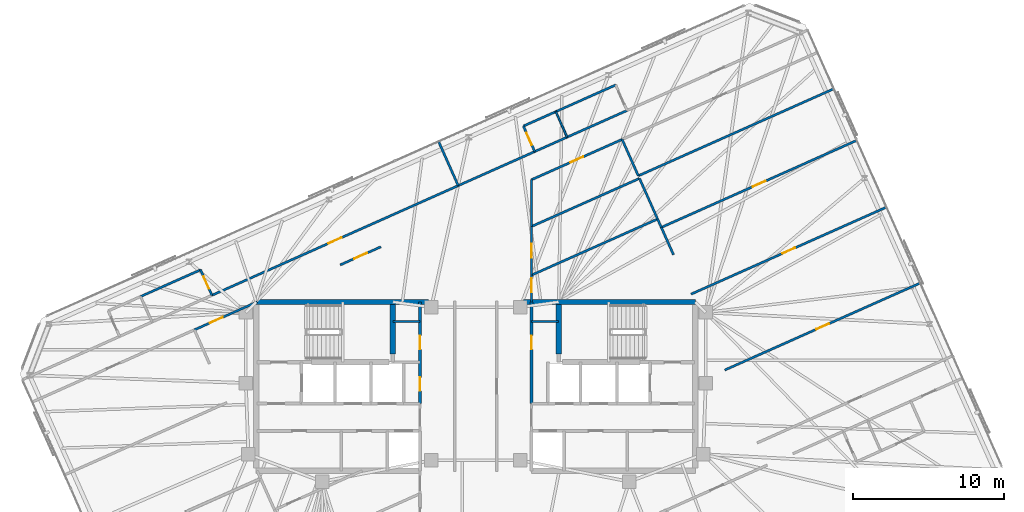
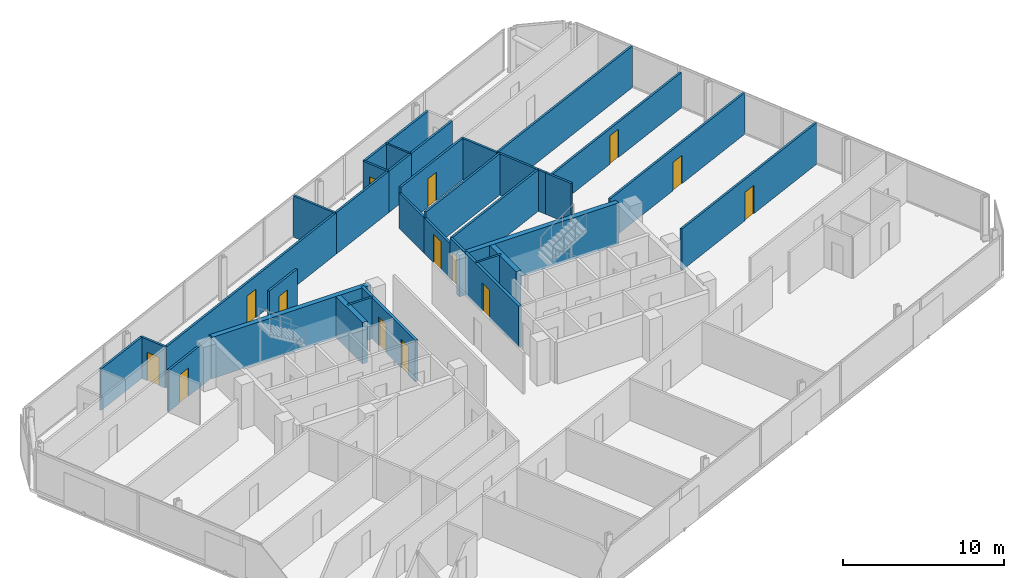
# One storey, part 16 of 19: 35 walls, 14 doors, 14 openings.
"""IFC4 building model written with IfcOpenShell, lengths in metres."""

from ifc_helpers import new_model, si_unit, direction, frame, frame_2d, origin, place, context, subcontext, project, spatial, rectangle, extrude, material, layer, layer_set, type_object, element, fill, save


model = new_model("IFC4")

# Units and contexts
model_context = context("Model", 3, precision=1e-05, world=origin(), true_north=direction((0.0, 1.0)))
body_context = subcontext(model_context, "Body", "Model", "MODEL_VIEW")
ifc_project = project(units=[si_unit("LENGTHUNIT", "METRE"), si_unit("AREAUNIT", "SQUARE_METRE"), si_unit("VOLUMEUNIT", "CUBIC_METRE"), si_unit("PLANEANGLEUNIT", "RADIAN"), si_unit("MASSUNIT", "GRAM", prefix="KILO")], contexts=[model_context])

# Site, building, storey
site_placement = place(None, origin())
site = spatial("IfcSite", under=ifc_project, at=site_placement, CompositionType="ELEMENT")
building_placement = place(site_placement, origin())
building = spatial("IfcBuilding", under=site, at=building_placement, Name="Menara Jurai Vektor", CompositionType="ELEMENT")
storey_placement = place(building_placement, frame((0.0, 0.0, 262.199951171875)))
storey = spatial("IfcBuildingStorey", under=building, at=storey_placement, Name="L70", CompositionType="ELEMENT", Elevation=262.199951171875)

# Walls
ifc_material_1 = material(Name="Gypsum Fireboard Partition", Category="gypsum")
ifc_layer_1 = layer(ifc_material_1, 0.14990234375)
ifc_layer_set_1 = layer_set([ifc_layer_1], Name="Gypsum Fireboard Partition")
wall_type_1 = type_object("IfcWallType", Name="INT-WALL-CORR-150", PredefinedType="PARTITIONING", material=ifc_layer_set_1)
for number, where, z_axis, x_axis, name in (
    (1, (-5.5, 4.300048828125, 0.0), (0.0, 0.0, 1.0), (1.0, 0.0, 0.0), "Interior Wall IW-150 L70"),
    (2, (3.699951171875, 4.300048828125, 0.0), (0.0, 0.0, 1.0), (1.0, 0.0, 0.0), "Interior Wall IW-150 L70"),
):
    element("IfcWall", number, at=place(storey_placement, frame(where, z_axis=z_axis, x_axis=x_axis)), inside=storey, type_object=wall_type_1, Name=name, PredefinedType="PARTITIONING", context=body_context, shape_type="SweptSolid", body=[
        extrude(rectangle(XDim=1.800048828125, YDim=0.14990234375, at=frame_2d((0.89990234375, 0.0))), origin(), (0.0, 0.0, 1.0), 3.125),
    ])

# Wall, opening, door
wall_1_placement = place(storey_placement, frame((-17.499267578125, 6.03759765625, 0.0), z_axis=(0.0, 0.0, 1.0), x_axis=(0.913541623157, 0.406745255362, 0.0)))
wall_1 = element("IfcWall", 3, at=wall_1_placement, inside=storey, type_object=wall_type_1, Name="Interior Wall IW-150 L70", PredefinedType="PARTITIONING", context=body_context, shape_type="SweptSolid", body=[
    extrude(rectangle(XDim=17.879150390625, YDim=0.14990234375, at=frame_2d((8.939453125, 0.0))), origin(), (0.0, 0.0, 1.0), 3.125),
])
opening_1_placement = place(wall_1_placement, frame((8.464599609375, 0.0, 0.0)))
opening_1 = element("IfcOpeningElement", 4, at=opening_1_placement, cuts=wall_1, Name="Opening D70-09", PredefinedType="OPENING", context=body_context, shape_type="SweptSolid", body=[
    extrude(rectangle(XDim=0.949951171875, YDim=2.14990234375, at=frame_2d((0.47509765625, 1.074951171875))), frame((0.0, 0.0849609375, 0.0), z_axis=(0.0, -1.0, 0.0), x_axis=(1.0, 0.0, 0.0)), (0.0, 0.0, 1.0), 0.169921875),
])
ifc_material_2 = material(Name="Solid Core Timber Fire Door", Category="wood")
door_type_1 = type_object("IfcDoorType", Name="DR-ENTRY-950", OperationType="NOTDEFINED", PredefinedType="DOOR", material=ifc_material_2)
door_1_placement = place(opening_1_placement, origin())
door_1 = element("IfcDoor", 5, at=door_1_placement, inside=storey, type_object=door_type_1, Name="Interior Door D70-09", OperationType="SINGLE_SWING_RIGHT", OverallHeight=2.14990234375, OverallWidth=0.949951171875, PredefinedType="DOOR", context=body_context, shape_type="SweptSolid", body=[
    extrude(rectangle(XDim=0.949951171875, YDim=2.14990234375, at=frame_2d((0.47509765625, 1.074951171875))), frame((0.0, 0.02490234375, 0.0), z_axis=(0.0, -1.0, 0.0), x_axis=(1.0, 0.0, 0.0)), (0.0, 0.0, 1.0), 0.050048828125),
])
fill(opening_1, door_1)

# Walls
wall_2_placement = place(storey_placement, frame((-1.166015625, 13.309814453125, 0.0), z_axis=(0.0, 0.0, 1.0), x_axis=(0.913554005831, 0.406717442988, 0.0)))
element("IfcWall", 6, at=wall_2_placement, inside=storey, type_object=wall_type_1, Name="Interior Wall IW-150 L70", PredefinedType="PARTITIONING", context=body_context, shape_type="SweptSolid", body=[
    extrude(rectangle(XDim=5.554931640625, YDim=0.14990234375, at=frame_2d((2.77734375, 0.0))), origin(), (0.0, 0.0, 1.0), 3.125),
])
wall_3_placement = place(storey_placement, frame((3.90869140625, 15.569091796875, 0.0), z_axis=(0.0, 0.0, 1.0), x_axis=(0.913541436194, 0.406745675276, 0.0)))
element("IfcWall", 7, at=wall_3_placement, inside=storey, type_object=wall_type_1, Name="Interior Wall IW-150 L70", PredefinedType="PARTITIONING", context=body_context, shape_type="SweptSolid", body=[
    extrude(rectangle(XDim=2.349853515625, YDim=0.14990234375, at=frame_2d((1.1748046875, 0.0))), origin(), (0.0, 0.0, 1.0), 3.125),
])
wall_4_placement = place(storey_placement, frame((6.055419921875, 16.52490234375, 0.0), z_axis=(0.0, 0.0, 1.0), x_axis=(0.913554477336, 0.406716383908, 0.0)))
element("IfcWall", 8, at=wall_4_placement, inside=storey, type_object=wall_type_1, Name="Interior Wall IW-150 L70", PredefinedType="PARTITIONING", context=body_context, shape_type="SweptSolid", body=[
    extrude(rectangle(XDim=4.35009765625, YDim=0.14990234375, at=frame_2d((2.175048828125, 0.0))), origin(), (0.0, 0.0, 1.0), 3.125),
])

# Wall, opening, door
wall_5_placement = place(storey_placement, frame((3.7001953125, 5.6005859375, 0.0), z_axis=(0.0, 0.0, 1.0), x_axis=(0.0, 1.0, 0.0)))
wall_5 = element("IfcWall", 9, at=wall_5_placement, inside=storey, type_object=wall_type_1, Name="Interior Wall IW-150 L70", PredefinedType="PARTITIONING", context=body_context, shape_type="SweptSolid", body=[
    extrude(rectangle(XDim=1.775390625, YDim=0.14990234375, at=frame_2d((0.8876953125, 0.0))), origin(), (0.0, 0.0, 1.0), 3.125),
])
opening_2_placement = place(wall_5_placement, frame((0.635498046875, 0.0, 0.0)))
opening_2 = element("IfcOpeningElement", 10, at=opening_2_placement, cuts=wall_5, Name="Opening D70-36", PredefinedType="OPENING", context=body_context, shape_type="SweptSolid", body=[
    extrude(rectangle(XDim=0.919921875, YDim=2.14990234375, at=frame_2d((0.4599609375, 1.074951171875))), frame((0.0, 0.0849609375, 0.0), z_axis=(0.0, -1.0, 0.0), x_axis=(1.0, 0.0, 0.0)), (0.0, 0.0, 1.0), 0.169921875),
])
door_2_placement = place(opening_2_placement, origin())
door_2 = element("IfcDoor", 11, at=door_2_placement, inside=storey, type_object=door_type_1, Name="Interior Door D70-36", OperationType="SINGLE_SWING_LEFT", OverallHeight=2.14990234375, OverallWidth=0.919921875, PredefinedType="DOOR", context=body_context, shape_type="SweptSolid", body=[
    extrude(rectangle(XDim=0.919921875, YDim=2.14990234375, at=frame_2d((0.4599609375, 1.074951171875))), frame((0.0, 0.02490234375, 0.0), z_axis=(0.0, -1.0, 0.0), x_axis=(1.0, 0.0, 0.0)), (0.0, 0.0, 1.0), 0.050048828125),
])
fill(opening_2, door_2)

wall_6_placement = place(storey_placement, frame((3.69970703125, 13.702880859375, 0.0), z_axis=(0.0, 0.0, 1.0), x_axis=(0.913549363376, 0.406727870542, 0.0)))
wall_6 = element("IfcWall", 12, at=wall_6_placement, inside=storey, type_object=wall_type_1, Name="Interior Wall IW-150 L70", PredefinedType="PARTITIONING", context=body_context, shape_type="SweptSolid", body=[
    extrude(rectangle(XDim=6.571044921875, YDim=0.14990234375, at=frame_2d((3.28564453125, 0.0))), origin(), (0.0, 0.0, 1.0), 3.125),
])
opening_3_placement = place(wall_6_placement, frame((2.825439453125, 0.0, 0.0)))
opening_3 = element("IfcOpeningElement", 13, at=opening_3_placement, cuts=wall_6, Name="Opening D70-38", PredefinedType="OPENING", context=body_context, shape_type="SweptSolid", body=[
    extrude(rectangle(XDim=0.919921875, YDim=2.14990234375, at=frame_2d((0.4599609375, 1.074951171875))), frame((0.0, 0.0849609375, 0.0), z_axis=(0.0, -1.0, 0.0), x_axis=(1.0, 0.0, 0.0)), (0.0, 0.0, 1.0), 0.169921875),
])
door_3_placement = place(opening_3_placement, origin())
door_3 = element("IfcDoor", 14, at=door_3_placement, inside=storey, type_object=door_type_1, Name="Interior Door D70-38", OperationType="SINGLE_SWING_LEFT", OverallHeight=2.14990234375, OverallWidth=0.919921875, PredefinedType="DOOR", context=body_context, shape_type="SweptSolid", body=[
    extrude(rectangle(XDim=0.919921875, YDim=2.14990234375, at=frame_2d((0.4599609375, 1.074951171875))), frame((0.0, 0.02490234375, 0.0), z_axis=(0.0, -1.0, 0.0), x_axis=(1.0, 0.0, 0.0)), (0.0, 0.0, 1.0), 0.050048828125),
])
fill(opening_3, door_3)

wall_7_placement = place(storey_placement, frame((-18.6611328125, 3.7470703125, 0.0), z_axis=(0.0, 0.0, 1.0), x_axis=(0.913535055583, 0.40676000568, 0.0)))
wall_7 = element("IfcWall", 15, at=wall_7_placement, inside=storey, type_object=wall_type_1, Name="Interior Wall IW-150 L70", PredefinedType="PARTITIONING", context=body_context, shape_type="SweptSolid", body=[
    extrude(rectangle(XDim=4.554931640625, YDim=0.14990234375, at=frame_2d((2.27734375, 0.0))), origin(), (0.0, 0.0, 1.0), 3.125),
])
opening_4_placement = place(wall_7_placement, frame((1.13427734375, 0.0, 0.0)))
opening_4 = element("IfcOpeningElement", 16, at=opening_4_placement, cuts=wall_7, Name="Opening D70-39", PredefinedType="OPENING", context=body_context, shape_type="SweptSolid", body=[
    extrude(rectangle(XDim=0.919921875, YDim=2.14990234375, at=frame_2d((0.4599609375, 1.074951171875))), frame((0.0, 0.0849609375, 0.0), z_axis=(0.0, -1.0, 0.0), x_axis=(1.0, 0.0, 0.0)), (0.0, 0.0, 1.0), 0.169921875),
])
door_4_placement = place(opening_4_placement, origin())
door_4 = element("IfcDoor", 17, at=door_4_placement, inside=storey, type_object=door_type_1, Name="Interior Door D70-39", OperationType="SINGLE_SWING_RIGHT", OverallHeight=2.14990234375, OverallWidth=0.919921875, PredefinedType="DOOR", context=body_context, shape_type="SweptSolid", body=[
    extrude(rectangle(XDim=0.919921875, YDim=2.14990234375, at=frame_2d((0.4599609375, 1.074951171875))), frame((0.0, 0.02490234375, 0.0), z_axis=(0.0, -1.0, 0.0), x_axis=(1.0, 0.0, 0.0)), (0.0, 0.0, 1.0), 0.050048828125),
])
fill(opening_4, door_4)

wall_8_placement = place(storey_placement, frame((-8.9921875, 8.052001953125, 0.0), z_axis=(0.0, 0.0, 1.0), x_axis=(0.913535467925, 0.406759079607, 0.0)))
wall_8 = element("IfcWall", 18, at=wall_8_placement, inside=storey, type_object=wall_type_1, Name="Interior Wall IW-150 L70", PredefinedType="PARTITIONING", context=body_context, shape_type="SweptSolid", body=[
    extrude(rectangle(XDim=2.9560546875, YDim=0.14990234375, at=frame_2d((1.47802734375, 0.0))), origin(), (0.0, 0.0, 1.0), 3.125),
])
opening_5_placement = place(wall_8_placement, frame((1.01806640625, 0.0, 0.0)))
opening_5 = element("IfcOpeningElement", 19, at=opening_5_placement, cuts=wall_8, Name="Opening D70-40", PredefinedType="OPENING", context=body_context, shape_type="SweptSolid", body=[
    extrude(rectangle(XDim=0.919921875, YDim=2.14990234375, at=frame_2d((0.4599609375, 1.074951171875))), frame((0.0, 0.0849609375, 0.0), z_axis=(0.0, -1.0, 0.0), x_axis=(1.0, 0.0, 0.0)), (0.0, 0.0, 1.0), 0.169921875),
])
door_5_placement = place(opening_5_placement, origin())
door_5 = element("IfcDoor", 20, at=door_5_placement, inside=storey, type_object=door_type_1, Name="Interior Door D70-40", OperationType="SINGLE_SWING_LEFT", OverallHeight=2.14990234375, OverallWidth=0.919921875, PredefinedType="DOOR", context=body_context, shape_type="SweptSolid", body=[
    extrude(rectangle(XDim=0.919921875, YDim=2.14990234375, at=frame_2d((0.4599609375, 1.074951171875))), frame((0.0, 0.02490234375, 0.0), z_axis=(0.0, -1.0, 0.0), x_axis=(1.0, 0.0, 0.0)), (0.0, 0.0, 1.0), 0.050048828125),
])
fill(opening_5, door_5)

# Wall
wall_9_placement = place(storey_placement, frame((-22.2255859375, 5.95849609375, 0.0), z_axis=(0.0, 0.0, 1.0), x_axis=(0.913545193015, 0.406737237438, 0.0)))
element("IfcWall", 21, at=wall_9_placement, inside=storey, type_object=wall_type_1, Name="Interior Wall IW-150 L70", PredefinedType="PARTITIONING", context=body_context, shape_type="SweptSolid", body=[
    extrude(rectangle(XDim=4.349853515625, YDim=0.14990234375, at=frame_2d((2.1748046875, 0.0))), origin(), (0.0, 0.0, 1.0), 3.125),
])

# Wall, opening, door
wall_10_placement = place(storey_placement, frame((-17.499267578125, 6.03759765625, 0.0), z_axis=(0.0, 0.0, 1.0), x_axis=(-0.406701600856, 0.913561058639, 0.0)))
wall_10 = element("IfcWall", 22, at=wall_10_placement, inside=storey, type_object=wall_type_1, Name="Interior Wall IW-150 L70", PredefinedType="PARTITIONING", context=body_context, shape_type="SweptSolid", body=[
    extrude(rectangle(XDim=1.85009765625, YDim=0.14990234375, at=frame_2d((0.925048828125, 0.0))), origin(), (0.0, 0.0, 1.0), 3.125),
])
opening_6_placement = place(wall_10_placement, frame((0.47509765625, 0.0, 0.0)))
opening_6 = element("IfcOpeningElement", 23, at=opening_6_placement, cuts=wall_10, Name="Opening D70-11", PredefinedType="OPENING", context=body_context, shape_type="SweptSolid", body=[
    extrude(rectangle(XDim=0.89990234375, YDim=2.14990234375, at=frame_2d((0.449951171875, 1.074951171875))), frame((0.0, 0.0849609375, 0.0), z_axis=(0.0, -1.0, 0.0), x_axis=(1.0, 0.0, 0.0)), (0.0, 0.0, 1.0), 0.169921875),
])
ifc_material_3 = material(Name="Acoustic Timber Interior Door", Category="wood")
door_type_2 = type_object("IfcDoorType", Name="DR-ROOM-900", OperationType="NOTDEFINED", PredefinedType="DOOR", material=ifc_material_3)
door_6_placement = place(opening_6_placement, origin())
door_6 = element("IfcDoor", 24, at=door_6_placement, inside=storey, type_object=door_type_2, Name="Interior Door D70-11", OperationType="SINGLE_SWING_RIGHT", OverallHeight=2.14990234375, OverallWidth=0.89990234375, PredefinedType="DOOR", context=body_context, shape_type="SweptSolid", body=[
    extrude(rectangle(XDim=0.89990234375, YDim=2.14990234375, at=frame_2d((0.449951171875, 1.074951171875))), frame((0.0, 0.02490234375, 0.0), z_axis=(0.0, -1.0, 0.0), x_axis=(1.0, 0.0, 0.0)), (0.0, 0.0, 1.0), 0.050048828125),
])
fill(opening_6, door_6)

# Wall
wall_11_placement = place(storey_placement, frame((-1.166015625, 13.309814453125, 0.0), z_axis=(0.0, 0.0, 1.0), x_axis=(-0.406761717745, 0.913534293268, 0.0)))
element("IfcWall", 25, at=wall_11_placement, inside=storey, type_object=wall_type_1, Name="Interior Wall IW-150 L70", PredefinedType="PARTITIONING", context=body_context, shape_type="SweptSolid", body=[
    extrude(rectangle(XDim=3.197998046875, YDim=0.14990234375, at=frame_2d((1.59912109375, 0.0))), origin(), (0.0, 0.0, 1.0), 3.125),
])

# Wall, opening, door
wall_12_placement = place(storey_placement, frame((3.90869140625, 15.569091796875, 0.0), z_axis=(0.0, 0.0, 1.0), x_axis=(-0.406701600856, 0.913561058639, 0.0)))
wall_12 = element("IfcWall", 26, at=wall_12_placement, inside=storey, type_object=wall_type_1, Name="Interior Wall IW-150 L70", PredefinedType="PARTITIONING", context=body_context, shape_type="SweptSolid", body=[
    extrude(rectangle(XDim=1.85009765625, YDim=0.14990234375, at=frame_2d((0.925048828125, 0.0))), origin(), (0.0, 0.0, 1.0), 3.125),
])
opening_7_placement = place(wall_12_placement, frame((0.485107421875, 0.0, 0.0)))
opening_7 = element("IfcOpeningElement", 27, at=opening_7_placement, cuts=wall_12, Name="Opening D70-13", PredefinedType="OPENING", context=body_context, shape_type="SweptSolid", body=[
    extrude(rectangle(XDim=0.8798828125, YDim=2.14990234375, at=frame_2d((0.43994140625, 1.074951171875))), frame((0.0, 0.0849609375, 0.0), z_axis=(0.0, -1.0, 0.0), x_axis=(1.0, 0.0, 0.0)), (0.0, 0.0, 1.0), 0.169921875),
])
ifc_material_4 = material(Name="Moisture-Resistant Timber Door", Category="wood")
door_type_3 = type_object("IfcDoorType", Name="DR-BATH-880", OperationType="NOTDEFINED", PredefinedType="DOOR", material=ifc_material_4)
door_7_placement = place(opening_7_placement, origin())
door_7 = element("IfcDoor", 28, at=door_7_placement, inside=storey, type_object=door_type_3, Name="Interior Door D70-13", OperationType="SINGLE_SWING_RIGHT", OverallHeight=2.14990234375, OverallWidth=0.8798828125, PredefinedType="DOOR", context=body_context, shape_type="SweptSolid", body=[
    extrude(rectangle(XDim=0.8798828125, YDim=2.14990234375, at=frame_2d((0.43994140625, 1.074951171875))), frame((0.0, 0.02490234375, 0.0), z_axis=(0.0, -1.0, 0.0), x_axis=(1.0, 0.0, 0.0)), (0.0, 0.0, 1.0), 0.050048828125),
])
fill(opening_7, door_7)

# Walls
wall_13_placement = place(storey_placement, frame((3.15625, 17.25927734375, 0.0), z_axis=(0.0, 0.0, 1.0), x_axis=(0.913541436194, 0.406745675276, 0.0)))
element("IfcWall", 29, at=wall_13_placement, inside=storey, type_object=wall_type_1, Name="Interior Wall IW-150 L70", PredefinedType="PARTITIONING", context=body_context, shape_type="SweptSolid", body=[
    extrude(rectangle(XDim=2.349853515625, YDim=0.14990234375, at=frame_2d((1.1748046875, 0.0))), origin(), (0.0, 0.0, 1.0), 3.125),
])
wall_14_placement = place(storey_placement, frame((5.302978515625, 18.215087890625, 0.0), z_axis=(0.0, 0.0, 1.0), x_axis=(0.913554477336, 0.406716383908, 0.0)))
element("IfcWall", 30, at=wall_14_placement, inside=storey, type_object=wall_type_1, Name="Interior Wall IW-150 L70", PredefinedType="PARTITIONING", context=body_context, shape_type="SweptSolid", body=[
    extrude(rectangle(XDim=4.35009765625, YDim=0.14990234375, at=frame_2d((2.175048828125, 0.0))), origin(), (0.0, 0.0, 1.0), 3.125),
])
wall_15_placement = place(storey_placement, frame((3.7001953125, 7.3759765625, 0.0), z_axis=(0.0, 0.0, 1.0), x_axis=(0.91354490899, 0.406737875367, 0.0)))
element("IfcWall", 31, at=wall_15_placement, inside=storey, type_object=wall_type_1, Name="Interior Wall IW-150 L70", PredefinedType="PARTITIONING", context=body_context, shape_type="SweptSolid", body=[
    extrude(rectangle(XDim=9.14404296875, YDim=0.14990234375, at=frame_2d((4.572021484375, 0.0))), origin(), (0.0, 0.0, 1.0), 3.125),
])
wall_16_placement = place(storey_placement, frame((13.108642578125, 8.7255859375, 0.0), z_axis=(0.0, 0.0, 1.0), x_axis=(-0.406788519224, 0.913522359128, 0.0)))
element("IfcWall", 32, at=wall_16_placement, inside=storey, type_object=wall_type_1, Name="Interior Wall IW-150 L70", PredefinedType="PARTITIONING", context=body_context, shape_type="SweptSolid", body=[
    extrude(rectangle(XDim=1.98583984375, YDim=0.14990234375, at=frame_2d((0.992919921875, 0.0))), origin(), (0.0, 0.0, 1.0), 3.125),
])
wall_17_placement = place(storey_placement, frame((12.30078125, 10.539794921875, 0.0), z_axis=(0.0, 0.0, 1.0), x_axis=(-0.406436552015, 0.913679007741, 0.0)))
element("IfcWall", 33, at=wall_17_placement, inside=storey, type_object=wall_type_1, Name="Interior Wall IW-150 L70", PredefinedType="PARTITIONING", context=body_context, shape_type="SweptSolid", body=[
    extrude(rectangle(XDim=0.60791015625, YDim=0.14990234375, at=frame_2d((0.303955078125, 0.0))), origin(), (0.0, 0.0, 1.0), 3.125),
])
wall_18_placement = place(storey_placement, frame((3.7001953125, 10.60400390625, 0.0), z_axis=(0.0, 0.0, 1.0), x_axis=(0.913534926439, 0.406760295722, 0.0)))
element("IfcWall", 34, at=wall_18_placement, inside=storey, type_object=wall_type_1, Name="Interior Wall IW-150 L70", PredefinedType="PARTITIONING", context=body_context, shape_type="SweptSolid", body=[
    extrude(rectangle(XDim=7.830810546875, YDim=0.14990234375, at=frame_2d((3.91552734375, 0.0))), origin(), (0.0, 0.0, 1.0), 3.125),
])
wall_19_placement = place(storey_placement, frame((12.0537109375, 11.09521484375, 0.0), z_axis=(0.0, 0.0, 1.0), x_axis=(-0.406798922371, 0.91351772657, 0.0)))
element("IfcWall", 35, at=wall_19_placement, inside=storey, type_object=wall_type_1, Name="Interior Wall IW-150 L70", PredefinedType="PARTITIONING", context=body_context, shape_type="SweptSolid", body=[
    extrude(rectangle(XDim=2.94921875, YDim=0.14990234375, at=frame_2d((1.474609375, 0.0))), origin(), (0.0, 0.0, 1.0), 3.125),
])
wall_20_placement = place(storey_placement, frame((10.777587890625, 13.9609375, 0.0), z_axis=(0.0, 0.0, 1.0), x_axis=(-0.406712614091, 0.913556155657, 0.0)))
element("IfcWall", 36, at=wall_20_placement, inside=storey, type_object=wall_type_1, Name="Interior Wall IW-150 L70", PredefinedType="PARTITIONING", context=body_context, shape_type="SweptSolid", body=[
    extrude(rectangle(XDim=2.64306640625, YDim=0.14990234375, at=frame_2d((1.321533203125, 0.0))), origin(), (0.0, 0.0, 1.0), 3.125),
])

# Wall, opening, door
wall_21_placement = place(storey_placement, frame((16.51171875, 1.081787109375, 0.0), z_axis=(0.0, 0.0, 1.0), x_axis=(0.913544622417, 0.406738519018, 0.0)))
wall_21 = element("IfcWall", 37, at=wall_21_placement, inside=storey, type_object=wall_type_1, Name="Interior Wall IW-150 L70", PredefinedType="PARTITIONING", context=body_context, shape_type="SweptSolid", body=[
    extrude(rectangle(XDim=14.192138671875, YDim=0.14990234375, at=frame_2d((7.09619140625, 0.0))), origin(), (0.0, 0.0, 1.0), 3.125),
])
opening_8_placement = place(wall_21_placement, frame((6.635986328125, 0.0, 0.0)))
opening_8 = element("IfcOpeningElement", 38, at=opening_8_placement, cuts=wall_21, Name="Opening D70-42", PredefinedType="OPENING", context=body_context, shape_type="SweptSolid", body=[
    extrude(rectangle(XDim=0.919921875, YDim=2.14990234375, at=frame_2d((0.4599609375, 1.074951171875))), frame((0.0, 0.0849609375, 0.0), z_axis=(0.0, -1.0, 0.0), x_axis=(1.0, 0.0, 0.0)), (0.0, 0.0, 1.0), 0.169921875),
])
door_8_placement = place(opening_8_placement, origin())
door_8 = element("IfcDoor", 39, at=door_8_placement, inside=storey, type_object=door_type_1, Name="Interior Door D70-42", OperationType="SINGLE_SWING_LEFT", OverallHeight=2.14990234375, OverallWidth=0.919921875, PredefinedType="DOOR", context=body_context, shape_type="SweptSolid", body=[
    extrude(rectangle(XDim=0.919921875, YDim=2.14990234375, at=frame_2d((0.4599609375, 1.074951171875))), frame((0.0, 0.02490234375, 0.0), z_axis=(0.0, -1.0, 0.0), x_axis=(1.0, 0.0, 0.0)), (0.0, 0.0, 1.0), 0.050048828125),
])
fill(opening_8, door_8)

wall_22_placement = place(storey_placement, frame((14.27197265625, 6.11279296875, 0.0), z_axis=(0.0, 0.0, 1.0), x_axis=(0.913551014388, 0.406724162191, 0.0)))
wall_22 = element("IfcWall", 40, at=wall_22_placement, inside=storey, type_object=wall_type_1, Name="Interior Wall IW-150 L70", PredefinedType="PARTITIONING", context=body_context, shape_type="SweptSolid", body=[
    extrude(rectangle(XDim=14.19189453125, YDim=0.14990234375, at=frame_2d((7.095947265625, 0.0))), origin(), (0.0, 0.0, 1.0), 3.125),
])
opening_9_placement = place(wall_22_placement, frame((6.635986328125, 0.0, 0.0)))
opening_9 = element("IfcOpeningElement", 41, at=opening_9_placement, cuts=wall_22, Name="Opening D70-43", PredefinedType="OPENING", context=body_context, shape_type="SweptSolid", body=[
    extrude(rectangle(XDim=0.919921875, YDim=2.14990234375, at=frame_2d((0.4599609375, 1.074951171875))), frame((0.0, 0.0849609375, 0.0), z_axis=(0.0, -1.0, 0.0), x_axis=(1.0, 0.0, 0.0)), (0.0, 0.0, 1.0), 0.169921875),
])
door_9_placement = place(opening_9_placement, origin())
door_9 = element("IfcDoor", 42, at=door_9_placement, inside=storey, type_object=door_type_1, Name="Interior Door D70-43", OperationType="SINGLE_SWING_RIGHT", OverallHeight=2.14990234375, OverallWidth=0.919921875, PredefinedType="DOOR", context=body_context, shape_type="SweptSolid", body=[
    extrude(rectangle(XDim=0.919921875, YDim=2.14990234375, at=frame_2d((0.4599609375, 1.074951171875))), frame((0.0, 0.02490234375, 0.0), z_axis=(0.0, -1.0, 0.0), x_axis=(1.0, 0.0, 0.0)), (0.0, 0.0, 1.0), 0.050048828125),
])
fill(opening_9, door_9)

# Wall
wall_23_placement = place(storey_placement, frame((10.777587890625, 13.9609375, 0.0), z_axis=(0.0, 0.0, 1.0), x_axis=(0.913544622417, 0.406738519018, 0.0)))
element("IfcWall", 43, at=wall_23_placement, inside=storey, type_object=wall_type_1, Name="Interior Wall IW-150 L70", PredefinedType="PARTITIONING", context=body_context, shape_type="SweptSolid", body=[
    extrude(rectangle(XDim=14.192138671875, YDim=0.14990234375, at=frame_2d((7.09619140625, 0.0))), origin(), (0.0, 0.0, 1.0), 3.125),
])

# Wall, opening, door
ifc_layer_2 = layer(ifc_material_1, 0.14990234375)
ifc_layer_set_2 = layer_set([ifc_layer_2], Name="Gypsum Fireboard Partition")
wall_type_2 = type_object("IfcWallType", Name="INT-WALL-CORR-150-H1", PredefinedType="PARTITIONING", material=ifc_layer_set_2)
wall_24_placement = place(storey_placement, frame((3.7001953125, 7.3759765625, 0.0), z_axis=(0.0, 0.0, 1.0), x_axis=(0.0, 1.0, 0.0)))
wall_24 = element("IfcWall", 44, at=wall_24_placement, inside=storey, type_object=wall_type_2, Name="Interior Wall IW-150 L70", PredefinedType="PARTITIONING", context=body_context, shape_type="SweptSolid", body=[
    extrude(rectangle(XDim=3.22802734375, YDim=0.14990234375, at=frame_2d((1.614013671875, 0.0))), origin(), (0.0, 0.0, 1.0), 2.675048828125),
])
opening_10_placement = place(wall_24_placement, frame((1.154052734375, 0.0, 0.0)))
opening_10 = element("IfcOpeningElement", 45, at=opening_10_placement, cuts=wall_24, Name="Opening D70-37", PredefinedType="OPENING", context=body_context, shape_type="SweptSolid", body=[
    extrude(rectangle(XDim=0.919921875, YDim=2.14990234375, at=frame_2d((0.4599609375, 1.074951171875))), frame((0.0, 0.0849609375, 0.0), z_axis=(0.0, -1.0, 0.0), x_axis=(1.0, 0.0, 0.0)), (0.0, 0.0, 1.0), 0.169921875),
])
door_10_placement = place(opening_10_placement, origin())
door_10 = element("IfcDoor", 46, at=door_10_placement, inside=storey, type_object=door_type_1, Name="Interior Door D70-37", OperationType="SINGLE_SWING_RIGHT", OverallHeight=2.14990234375, OverallWidth=0.919921875, PredefinedType="DOOR", context=body_context, shape_type="SweptSolid", body=[
    extrude(rectangle(XDim=0.919921875, YDim=2.14990234375, at=frame_2d((0.4599609375, 1.074951171875))), frame((0.0, 0.02490234375, 0.0), z_axis=(0.0, -1.0, 0.0), x_axis=(1.0, 0.0, 0.0)), (0.0, 0.0, 1.0), 0.050048828125),
])
fill(opening_10, door_10)

# Wall
wall_25_placement = place(storey_placement, frame((3.7001953125, 10.60400390625, 0.0), z_axis=(0.0, 0.0, 1.0), x_axis=(-0.000157567161, 0.999999987586, 0.0)))
element("IfcWall", 47, at=wall_25_placement, inside=storey, type_object=wall_type_2, Name="Interior Wall IW-150 L70", PredefinedType="PARTITIONING", context=body_context, shape_type="SweptSolid", body=[
    extrude(rectangle(XDim=3.098876953125, YDim=0.14990234375, at=frame_2d((1.54931640625, 0.0))), origin(), (0.0, 0.0, 1.0), 2.675048828125),
])

# Wall, opening, door
wall_26_placement = place(storey_placement, frame((12.30078125, 10.539794921875, 0.0), z_axis=(0.0, 0.0, 1.0), x_axis=(0.913544622417, 0.406738519018, 0.0)))
wall_26 = element("IfcWall", 48, at=wall_26_placement, inside=storey, type_object=wall_type_2, Name="Interior Wall IW-150 L70", PredefinedType="PARTITIONING", context=body_context, shape_type="SweptSolid", body=[
    extrude(rectangle(XDim=14.192138671875, YDim=0.14990234375, at=frame_2d((7.09619140625, 0.0))), origin(), (0.0, 0.0, 1.0), 2.675048828125),
])
opening_11_placement = place(wall_26_placement, frame((6.635986328125, 0.0, 0.0)))
opening_11 = element("IfcOpeningElement", 49, at=opening_11_placement, cuts=wall_26, Name="Opening D70-44", PredefinedType="OPENING", context=body_context, shape_type="SweptSolid", body=[
    extrude(rectangle(XDim=0.919921875, YDim=2.14990234375, at=frame_2d((0.4599609375, 1.074951171875))), frame((0.0, 0.0849609375, 0.0), z_axis=(0.0, -1.0, 0.0), x_axis=(1.0, 0.0, 0.0)), (0.0, 0.0, 1.0), 0.169921875),
])
door_11_placement = place(opening_11_placement, origin())
door_11 = element("IfcDoor", 50, at=door_11_placement, inside=storey, type_object=door_type_1, Name="Interior Door D70-44", OperationType="SINGLE_SWING_LEFT", OverallHeight=2.14990234375, OverallWidth=0.919921875, PredefinedType="DOOR", context=body_context, shape_type="SweptSolid", body=[
    extrude(rectangle(XDim=0.919921875, YDim=2.14990234375, at=frame_2d((0.4599609375, 1.074951171875))), frame((0.0, 0.02490234375, 0.0), z_axis=(0.0, -1.0, 0.0), x_axis=(1.0, 0.0, 0.0)), (0.0, 0.0, 1.0), 0.050048828125),
])
fill(opening_11, door_11)

# Wall
ifc_material_5 = material(Name="Gypsum Acoustic Stud Partition", Category="gypsum")
ifc_layer_3 = layer(ifc_material_5, 0.1201171875)
ifc_layer_set_3 = layer_set([ifc_layer_3], Name="Gypsum Acoustic Stud Partition")
wall_type_3 = type_object("IfcWallType", Name="INT-WALL-PART-120", PredefinedType="PARTITIONING", material=ifc_layer_set_3)
wall_27_placement = place(storey_placement, frame((6.055419921875, 16.52490234375, 0.0), z_axis=(0.0, 0.0, 1.0), x_axis=(-0.406701600856, 0.913561058639, 0.0)))
element("IfcWall", 51, at=wall_27_placement, inside=storey, type_object=wall_type_3, Name="Interior Wall IW-120 L70", PredefinedType="PARTITIONING", context=body_context, shape_type="SweptSolid", body=[
    extrude(rectangle(XDim=1.85009765625, YDim=0.1201171875, at=frame_2d((0.925048828125, 0.0))), origin(), (0.0, 0.0, 1.0), 3.125),
])

# Wall, openings, doors
ifc_material_6 = material(Name="Concrete C40/50", Category="concrete")
ifc_layer_4 = layer(ifc_material_6, 0.199951171875)
ifc_layer_set_4 = layer_set([ifc_layer_4], Name="Concrete C40/50")
wall_type_4 = type_object("IfcWallType", Name="INT-WALL-SHAFT-200", PredefinedType="STANDARD", material=ifc_layer_set_4)
wall_28_placement = place(storey_placement, frame((-3.699951171875, -1.14990234375, 0.0), z_axis=(0.0, 0.0, 1.0), x_axis=(0.0, 1.0, 0.0)))
wall_28 = element("IfcWall", 52, at=wall_28_placement, inside=storey, type_object=wall_type_4, Name="Interior Wall IW-200 L70", PredefinedType="STANDARD", context=body_context, shape_type="SweptSolid", body=[
    extrude(rectangle(XDim=6.75, YDim=0.199951171875, at=frame_2d((3.375, 0.0))), origin(), (0.0, 0.0, 1.0), 3.125),
])
opening_12_placement = place(wall_28_placement, frame((3.60009765625, 0.0, 0.0)))
opening_12 = element("IfcOpeningElement", 53, at=opening_12_placement, cuts=wall_28, Name="Opening D70-03", PredefinedType="OPENING", context=body_context, shape_type="SweptSolid", body=[
    extrude(rectangle(XDim=0.919921875, YDim=2.14990234375, at=frame_2d((0.4599609375, 1.074951171875))), frame((0.0, 0.10986328125, 0.0), z_axis=(0.0, -1.0, 0.0), x_axis=(1.0, 0.0, 0.0)), (0.0, 0.0, 1.0), 0.219970703125),
])
opening_13_placement = place(wall_28_placement, frame((0.85009765625, 0.0, 0.0)))
opening_13 = element("IfcOpeningElement", 54, at=opening_13_placement, cuts=wall_28, Name="Opening D70-04", PredefinedType="OPENING", context=body_context, shape_type="SweptSolid", body=[
    extrude(rectangle(XDim=0.89990234375, YDim=2.14990234375, at=frame_2d((0.449951171875, 1.074951171875))), frame((0.0, 0.10986328125, 0.0), z_axis=(0.0, -1.0, 0.0), x_axis=(1.0, 0.0, 0.0)), (0.0, 0.0, 1.0), 0.219970703125),
])
door_12_placement = place(opening_12_placement, origin())
door_12 = element("IfcDoor", 55, at=door_12_placement, inside=storey, type_object=door_type_1, Name="Interior Door D70-03", OperationType="SINGLE_SWING_LEFT", OverallHeight=2.14990234375, OverallWidth=0.919921875, PredefinedType="DOOR", context=body_context, shape_type="SweptSolid", body=[
    extrude(rectangle(XDim=0.919921875, YDim=2.14990234375, at=frame_2d((0.4599609375, 1.074951171875))), frame((0.0, 0.02490234375, 0.0), z_axis=(0.0, -1.0, 0.0), x_axis=(1.0, 0.0, 0.0)), (0.0, 0.0, 1.0), 0.050048828125),
])
fill(opening_12, door_12)
door_13_placement = place(opening_13_placement, origin())
door_13 = element("IfcDoor", 56, at=door_13_placement, inside=storey, type_object=door_type_1, Name="Interior Door D70-04", OperationType="SINGLE_SWING_LEFT", OverallHeight=2.14990234375, OverallWidth=0.89990234375, PredefinedType="DOOR", context=body_context, shape_type="SweptSolid", body=[
    extrude(rectangle(XDim=0.89990234375, YDim=2.14990234375, at=frame_2d((0.449951171875, 1.074951171875))), frame((0.0, 0.02490234375, 0.0), z_axis=(0.0, -1.0, 0.0), x_axis=(1.0, 0.0, 0.0)), (0.0, 0.0, 1.0), 0.050048828125),
])
fill(opening_13, door_13)

# Wall, opening, door
wall_29_placement = place(storey_placement, frame((3.699951171875, -1.14990234375, 0.0), z_axis=(0.0, 0.0, 1.0), x_axis=(0.0, 1.0, 0.0)))
wall_29 = element("IfcWall", 57, at=wall_29_placement, inside=storey, type_object=wall_type_4, Name="Interior Wall IW-200 L70", PredefinedType="STANDARD", context=body_context, shape_type="SweptSolid", body=[
    extrude(rectangle(XDim=6.75, YDim=0.199951171875, at=frame_2d((3.375, 0.0))), origin(), (0.0, 0.0, 1.0), 3.125),
])
opening_14_placement = place(wall_29_placement, frame((3.60009765625, 0.0, 0.0)))
opening_14 = element("IfcOpeningElement", 58, at=opening_14_placement, cuts=wall_29, Name="Opening D70-07", PredefinedType="OPENING", context=body_context, shape_type="SweptSolid", body=[
    extrude(rectangle(XDim=0.919921875, YDim=2.14990234375, at=frame_2d((0.4599609375, 1.074951171875))), frame((0.0, 0.10986328125, 0.0), z_axis=(0.0, -1.0, 0.0), x_axis=(1.0, 0.0, 0.0)), (0.0, 0.0, 1.0), 0.219970703125),
])
door_14_placement = place(opening_14_placement, origin())
door_14 = element("IfcDoor", 59, at=door_14_placement, inside=storey, type_object=door_type_1, Name="Interior Door D70-07", OperationType="SINGLE_SWING_RIGHT", OverallHeight=2.14990234375, OverallWidth=0.919921875, PredefinedType="DOOR", context=body_context, shape_type="SweptSolid", body=[
    extrude(rectangle(XDim=0.919921875, YDim=2.14990234375, at=frame_2d((0.4599609375, 1.074951171875))), frame((0.0, 0.02490234375, 0.0), z_axis=(0.0, -1.0, 0.0), x_axis=(1.0, 0.0, 0.0)), (0.0, 0.0, 1.0), 0.050048828125),
])
fill(opening_14, door_14)

# Walls
ifc_material_7 = material(Name="Concrete C50/60", Category="concrete")
ifc_layer_5 = layer(ifc_material_7, 0.35009765625)
ifc_layer_set_5 = layer_set([ifc_layer_5], Name="Concrete C50/60")
wall_type_5 = type_object("IfcWallType", Name="STR-WALL-CORE350", PredefinedType="SHEAR", material=ifc_layer_set_5)
wall_30_placement = place(storey_placement, frame((-14.56005859375, 5.60009765625, 0.0), z_axis=(0.0, 0.0, 1.0), x_axis=(1.0, 0.0, 0.0)))
element("IfcWall", 60, at=wall_30_placement, inside=storey, type_object=wall_type_5, Name="Core Shear Wall CW-W-N L70", PredefinedType="SHEAR", context=body_context, shape_type="SweptSolid", body=[
    extrude(rectangle(XDim=11.41015625, YDim=0.35009765625, at=frame_2d((5.705078125, 0.0))), origin(), (0.0, 0.0, 1.0), 3.125),
])
wall_31_placement = place(storey_placement, frame((-5.5, 2.14990234375, 0.0), z_axis=(0.0, 0.0, 1.0), x_axis=(0.0, 1.0, 0.0)))
element("IfcWall", 61, at=wall_31_placement, inside=storey, type_object=wall_type_5, Name="Core Shear Wall CW-W-ST L70", PredefinedType="SHEAR", context=body_context, shape_type="SweptSolid", body=[
    extrude(rectangle(XDim=3.275146484375, YDim=0.35009765625, at=frame_2d((1.6376953125, 0.0))), origin(), (0.0, 0.0, 1.0), 3.125),
])
wall_32_placement = place(storey_placement, frame((3.14990234375, 5.60009765625, 0.0), z_axis=(0.0, 0.0, 1.0), x_axis=(1.0, 0.0, 0.0)))
element("IfcWall", 62, at=wall_32_placement, inside=storey, type_object=wall_type_5, Name="Core Shear Wall CW-E-N L70", PredefinedType="SHEAR", context=body_context, shape_type="SweptSolid", body=[
    extrude(rectangle(XDim=11.41015625, YDim=0.35009765625, at=frame_2d((5.705078125, 0.0))), origin(), (0.0, 0.0, 1.0), 3.125),
])
wall_33_placement = place(storey_placement, frame((5.5, 2.14990234375, 0.0), z_axis=(0.0, 0.0, 1.0), x_axis=(0.0, 1.0, 0.0)))
element("IfcWall", 63, at=wall_33_placement, inside=storey, type_object=wall_type_5, Name="Core Shear Wall CW-E-ST L70", PredefinedType="SHEAR", context=body_context, shape_type="SweptSolid", body=[
    extrude(rectangle(XDim=3.275146484375, YDim=0.35009765625, at=frame_2d((1.6376953125, 0.0))), origin(), (0.0, 0.0, 1.0), 3.125),
])

save(model, "model.ifc")
